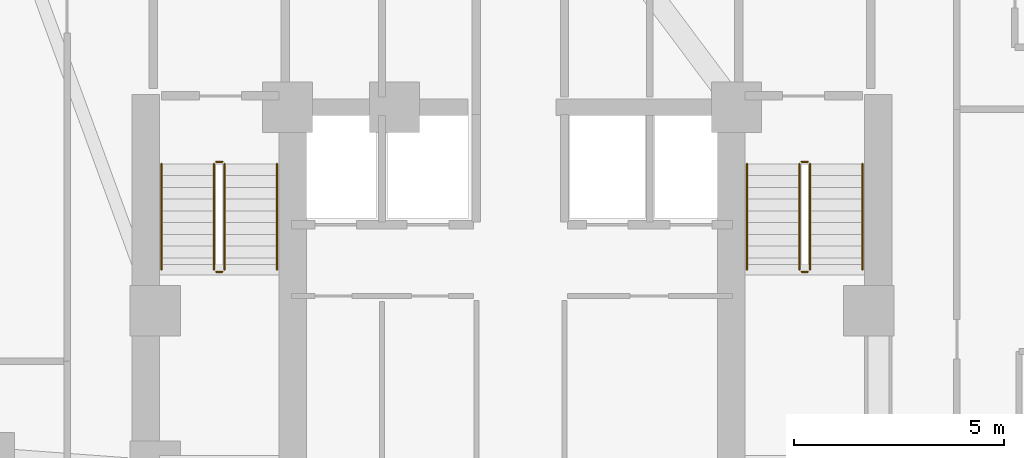
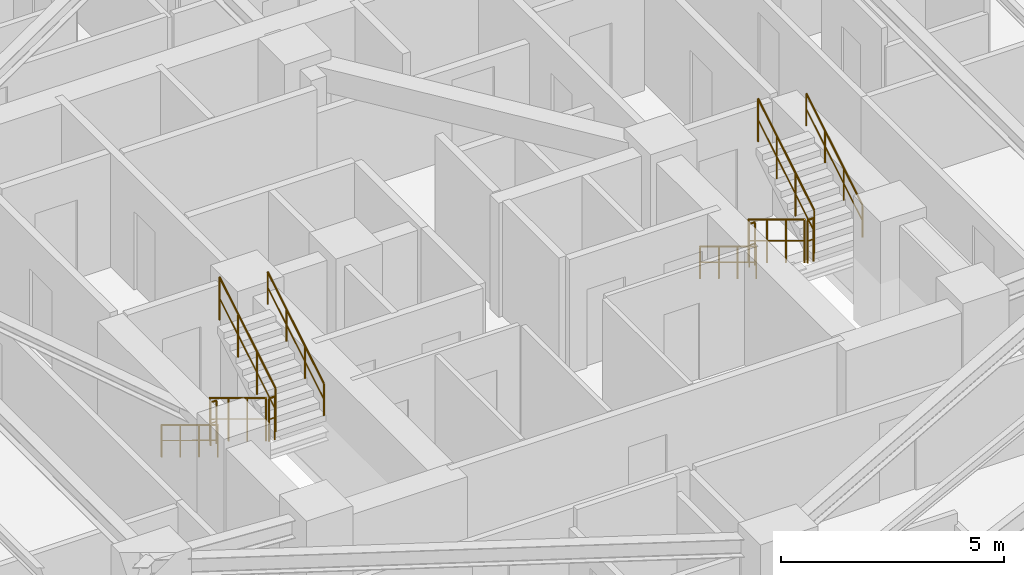
# One storey, part 13 of 13: 12 railings.
"""IFC4 building model written with IfcOpenShell, lengths in metres."""

from ifc_helpers import new_model, si_unit, direction, frame, origin, origin_2d, place, context, subcontext, project, spatial, circle, extrude, material, type_object, element, save


model = new_model("IFC4")

# Units and contexts
model_context = context("Model", 3, precision=1e-05, world=origin(), true_north=direction((0.0, 1.0)))
body_context = subcontext(model_context, "Body", "Model", "MODEL_VIEW")
ifc_project = project(units=[si_unit("LENGTHUNIT", "METRE"), si_unit("AREAUNIT", "SQUARE_METRE"), si_unit("VOLUMEUNIT", "CUBIC_METRE"), si_unit("PLANEANGLEUNIT", "RADIAN"), si_unit("MASSUNIT", "GRAM", prefix="KILO")], contexts=[model_context])

# Site, building, storey
site_placement = place(None, origin())
site = spatial("IfcSite", under=ifc_project, at=site_placement, CompositionType="ELEMENT")
building_placement = place(site_placement, origin())
building = spatial("IfcBuilding", under=site, at=building_placement, Name="Miruveldt Soraemaru", CompositionType="ELEMENT")
storey_placement = place(building_placement, frame((0.0, 0.0, 59.800048828125)))
storey = spatial("IfcBuildingStorey", under=building, at=storey_placement, Name="L16", CompositionType="ELEMENT", Elevation=59.800048828125)

# Railings
ifc_material = material(Name="Steel S355 (355 MPa)", Category="steel")
railing_type_1 = type_object("IfcRailingType", Name="RAIL-HR-900", PredefinedType="HANDRAIL", material=ifc_material)
railing_1_placement = place(storey_placement, frame((35.64990234375, 42.699951171875, 0.169921875)))
element("IfcRailing", 1, at=railing_1_placement, inside=storey, type_object=railing_type_1, Name="L16 ST-1 stair handrail 1", PredefinedType="HANDRAIL", context=body_context, shape_type="SweptSolid", body=[
    extrude(circle(Radius=0.02392578125, at=origin_2d()), frame((0.0, 0.0, 0.8759765625), z_axis=(0.0, -0.85478489116, 0.518982456201), x_axis=(1.0, 0.0, 0.0)), (0.0, 0.0, 1.0), 2.9482421875),
    extrude(circle(Radius=0.01611328125, at=origin_2d()), frame((0.0, 0.0, 0.449951171875), z_axis=(0.0, -0.85478489116, 0.518982456201), x_axis=(1.0, 0.0, 0.0)), (0.0, 0.0, 1.0), 2.9482421875),
    extrude(circle(Radius=0.02099609375, at=origin_2d()), origin(), (0.0, 0.0, 1.0), 0.851806640625),
    extrude(circle(Radius=0.02099609375, at=origin_2d()), frame((0.0, -0.840087890625, 0.510009765625)), (0.0, 0.0, 1.0), 0.851806640625),
    extrude(circle(Radius=0.02099609375, at=origin_2d()), frame((0.0, -1.679931640625, 1.02001953125)), (0.0, 0.0, 1.0), 0.851806640625),
    extrude(circle(Radius=0.02099609375, at=origin_2d()), frame((0.0, -2.52001953125, 1.530029296875)), (0.0, 0.0, 1.0), 0.851806640625),
])
railing_2_placement = place(storey_placement, frame((38.39990234375, 40.179931640625, 1.869873046875)))
element("IfcRailing", 2, at=railing_2_placement, inside=storey, type_object=railing_type_1, Name="L16 ST-1 stair handrail 2", PredefinedType="HANDRAIL", context=body_context, shape_type="SweptSolid", body=[
    extrude(circle(Radius=0.02392578125, at=origin_2d()), frame((0.0, 0.0, 0.8759765625), z_axis=(0.0, 0.85478489116, 0.518982456201), x_axis=(-1.0, 0.0, 0.0)), (0.0, 0.0, 1.0), 2.9482421875),
    extrude(circle(Radius=0.01611328125, at=origin_2d()), frame((0.0, 0.0, 0.449951171875), z_axis=(0.0, 0.85478489116, 0.518982456201), x_axis=(-1.0, 0.0, 0.0)), (0.0, 0.0, 1.0), 2.9482421875),
    extrude(circle(Radius=0.02099609375, at=origin_2d()), origin(), (0.0, 0.0, 1.0), 0.851806640625),
    extrude(circle(Radius=0.02099609375, at=origin_2d()), frame((0.0, 0.840087890625, 0.510009765625)), (0.0, 0.0, 1.0), 0.851806640625),
    extrude(circle(Radius=0.02099609375, at=origin_2d()), frame((0.0, 1.679931640625, 1.02001953125)), (0.0, 0.0, 1.0), 0.851806640625),
    extrude(circle(Radius=0.02099609375, at=origin_2d()), frame((0.0, 2.52001953125, 1.530029296875)), (0.0, 0.0, 1.0), 0.851806640625),
])
railing_3_placement = place(storey_placement, frame((49.60009765625, 42.699951171875, 0.169921875)))
element("IfcRailing", 3, at=railing_3_placement, inside=storey, type_object=railing_type_1, Name="L16 ST-2 stair handrail 1", PredefinedType="HANDRAIL", context=body_context, shape_type="SweptSolid", body=[
    extrude(circle(Radius=0.02392578125, at=origin_2d()), frame((0.0, 0.0, 0.8759765625), z_axis=(0.0, -0.85478489116, 0.518982456201), x_axis=(1.0, 0.0, 0.0)), (0.0, 0.0, 1.0), 2.9482421875),
    extrude(circle(Radius=0.01611328125, at=origin_2d()), frame((0.0, 0.0, 0.449951171875), z_axis=(0.0, -0.85478489116, 0.518982456201), x_axis=(1.0, 0.0, 0.0)), (0.0, 0.0, 1.0), 2.9482421875),
    extrude(circle(Radius=0.02099609375, at=origin_2d()), origin(), (0.0, 0.0, 1.0), 0.851806640625),
    extrude(circle(Radius=0.02099609375, at=origin_2d()), frame((0.0, -0.840087890625, 0.510009765625)), (0.0, 0.0, 1.0), 0.851806640625),
    extrude(circle(Radius=0.02099609375, at=origin_2d()), frame((0.0, -1.679931640625, 1.02001953125)), (0.0, 0.0, 1.0), 0.851806640625),
    extrude(circle(Radius=0.02099609375, at=origin_2d()), frame((0.0, -2.52001953125, 1.530029296875)), (0.0, 0.0, 1.0), 0.851806640625),
])
railing_4_placement = place(storey_placement, frame((52.35009765625, 40.179931640625, 1.869873046875)))
element("IfcRailing", 4, at=railing_4_placement, inside=storey, type_object=railing_type_1, Name="L16 ST-2 stair handrail 2", PredefinedType="HANDRAIL", context=body_context, shape_type="SweptSolid", body=[
    extrude(circle(Radius=0.02392578125, at=origin_2d()), frame((0.0, 0.0, 0.8759765625), z_axis=(0.0, 0.85478489116, 0.518982456201), x_axis=(-1.0, 0.0, 0.0)), (0.0, 0.0, 1.0), 2.9482421875),
    extrude(circle(Radius=0.01611328125, at=origin_2d()), frame((0.0, 0.0, 0.449951171875), z_axis=(0.0, 0.85478489116, 0.518982456201), x_axis=(-1.0, 0.0, 0.0)), (0.0, 0.0, 1.0), 2.9482421875),
    extrude(circle(Radius=0.02099609375, at=origin_2d()), origin(), (0.0, 0.0, 1.0), 0.851806640625),
    extrude(circle(Radius=0.02099609375, at=origin_2d()), frame((0.0, 0.840087890625, 0.510009765625)), (0.0, 0.0, 1.0), 0.851806640625),
    extrude(circle(Radius=0.02099609375, at=origin_2d()), frame((0.0, 1.679931640625, 1.02001953125)), (0.0, 0.0, 1.0), 0.851806640625),
    extrude(circle(Radius=0.02099609375, at=origin_2d()), frame((0.0, 2.52001953125, 1.530029296875)), (0.0, 0.0, 1.0), 0.851806640625),
])
railing_type_2 = type_object("IfcRailingType", Name="RAIL-STGUARD-1200", PredefinedType="GUARDRAIL", material=ifc_material)
railing_5_placement = place(storey_placement, frame((36.89990234375, 42.699951171875, 0.169921875)))
element("IfcRailing", 5, at=railing_5_placement, inside=storey, type_object=railing_type_2, Name="L16 ST-1 stair guard 1", PredefinedType="GUARDRAIL", context=body_context, shape_type="SweptSolid", body=[
    extrude(circle(Radius=0.02392578125, at=origin_2d()), frame((0.0, 0.0, 1.17578125), z_axis=(0.0, -0.85478489116, 0.518982456201), x_axis=(1.0, 0.0, 0.0)), (0.0, 0.0, 1.0), 2.9482421875),
    extrude(circle(Radius=0.01611328125, at=origin_2d()), frame((0.0, 0.0, 0.60009765625), z_axis=(0.0, -0.85478489116, 0.518982456201), x_axis=(1.0, 0.0, 0.0)), (0.0, 0.0, 1.0), 2.9482421875),
    extrude(circle(Radius=0.02099609375, at=origin_2d()), origin(), (0.0, 0.0, 1.0), 1.15185546875),
    extrude(circle(Radius=0.02099609375, at=origin_2d()), frame((0.0, -0.840087890625, 0.510009765625)), (0.0, 0.0, 1.0), 1.15185546875),
    extrude(circle(Radius=0.02099609375, at=origin_2d()), frame((0.0, -1.679931640625, 1.02001953125)), (0.0, 0.0, 1.0), 1.15185546875),
    extrude(circle(Radius=0.02099609375, at=origin_2d()), frame((0.0, -2.52001953125, 1.530029296875)), (0.0, 0.0, 1.0), 1.15185546875),
])
railing_6_placement = place(storey_placement, frame((36.949951171875, 40.1298828125, 1.699951171875)))
element("IfcRailing", 6, at=railing_6_placement, inside=storey, type_object=railing_type_2, Name="L16 ST-1 stair guard 2", PredefinedType="GUARDRAIL", context=body_context, shape_type="SweptSolid", body=[
    extrude(circle(Radius=0.02392578125, at=origin_2d()), frame((0.0, 0.0, 1.17578125), z_axis=(1.0, 0.0, 0.0), x_axis=(0.0, 1.0, 0.0)), (0.0, 0.0, 1.0), 0.150146484375),
    extrude(circle(Radius=0.01611328125, at=origin_2d()), frame((0.0, 0.0, 0.60009765625), z_axis=(1.0, 0.0, 0.0), x_axis=(0.0, 1.0, 0.0)), (0.0, 0.0, 1.0), 0.150146484375),
    extrude(circle(Radius=0.02099609375, at=origin_2d()), origin(), (0.0, 0.0, 1.0), 1.15185546875),
    extrude(circle(Radius=0.02099609375, at=origin_2d()), frame((0.150146484375, 0.0, 0.0)), (0.0, 0.0, 1.0), 1.15185546875),
])
railing_7_placement = place(storey_placement, frame((37.14990234375, 40.179931640625, 1.869873046875)))
element("IfcRailing", 7, at=railing_7_placement, inside=storey, type_object=railing_type_2, Name="L16 ST-1 stair guard 3", PredefinedType="GUARDRAIL", context=body_context, shape_type="SweptSolid", body=[
    extrude(circle(Radius=0.02392578125, at=origin_2d()), frame((0.0, 0.0, 1.17578125), z_axis=(0.0, 0.85478489116, 0.518982456201), x_axis=(-1.0, 0.0, 0.0)), (0.0, 0.0, 1.0), 2.9482421875),
    extrude(circle(Radius=0.01611328125, at=origin_2d()), frame((0.0, 0.0, 0.60009765625), z_axis=(0.0, 0.85478489116, 0.518982456201), x_axis=(-1.0, 0.0, 0.0)), (0.0, 0.0, 1.0), 2.9482421875),
    extrude(circle(Radius=0.02099609375, at=origin_2d()), origin(), (0.0, 0.0, 1.0), 1.15185546875),
    extrude(circle(Radius=0.02099609375, at=origin_2d()), frame((0.0, 0.840087890625, 0.510009765625)), (0.0, 0.0, 1.0), 1.15185546875),
    extrude(circle(Radius=0.02099609375, at=origin_2d()), frame((0.0, 1.679931640625, 1.02001953125)), (0.0, 0.0, 1.0), 1.15185546875),
    extrude(circle(Radius=0.02099609375, at=origin_2d()), frame((0.0, 2.52001953125, 1.530029296875)), (0.0, 0.0, 1.0), 1.15185546875),
])
railing_8_placement = place(storey_placement, frame((36.949951171875, 42.75, 0.0)))
element("IfcRailing", 8, at=railing_8_placement, inside=storey, type_object=railing_type_2, Name="L16 ST-1 stair guard 4", PredefinedType="GUARDRAIL", context=body_context, shape_type="SweptSolid", body=[
    extrude(circle(Radius=0.02392578125, at=origin_2d()), frame((0.0, 0.0, 1.17578125), z_axis=(1.0, 0.0, 0.0), x_axis=(0.0, 1.0, 0.0)), (0.0, 0.0, 1.0), 0.150146484375),
    extrude(circle(Radius=0.01611328125, at=origin_2d()), frame((0.0, 0.0, 0.60009765625), z_axis=(1.0, 0.0, 0.0), x_axis=(0.0, 1.0, 0.0)), (0.0, 0.0, 1.0), 0.150146484375),
    extrude(circle(Radius=0.02099609375, at=origin_2d()), origin(), (0.0, 0.0, 1.0), 1.15185546875),
    extrude(circle(Radius=0.02099609375, at=origin_2d()), frame((0.150146484375, 0.0, 0.0)), (0.0, 0.0, 1.0), 1.15185546875),
])
railing_9_placement = place(storey_placement, frame((50.85009765625, 42.699951171875, 0.169921875)))
element("IfcRailing", 9, at=railing_9_placement, inside=storey, type_object=railing_type_2, Name="L16 ST-2 stair guard 1", PredefinedType="GUARDRAIL", context=body_context, shape_type="SweptSolid", body=[
    extrude(circle(Radius=0.02392578125, at=origin_2d()), frame((0.0, 0.0, 1.17578125), z_axis=(0.0, -0.85478489116, 0.518982456201), x_axis=(1.0, 0.0, 0.0)), (0.0, 0.0, 1.0), 2.9482421875),
    extrude(circle(Radius=0.01611328125, at=origin_2d()), frame((0.0, 0.0, 0.60009765625), z_axis=(0.0, -0.85478489116, 0.518982456201), x_axis=(1.0, 0.0, 0.0)), (0.0, 0.0, 1.0), 2.9482421875),
    extrude(circle(Radius=0.02099609375, at=origin_2d()), origin(), (0.0, 0.0, 1.0), 1.15185546875),
    extrude(circle(Radius=0.02099609375, at=origin_2d()), frame((0.0, -0.840087890625, 0.510009765625)), (0.0, 0.0, 1.0), 1.15185546875),
    extrude(circle(Radius=0.02099609375, at=origin_2d()), frame((0.0, -1.679931640625, 1.02001953125)), (0.0, 0.0, 1.0), 1.15185546875),
    extrude(circle(Radius=0.02099609375, at=origin_2d()), frame((0.0, -2.52001953125, 1.530029296875)), (0.0, 0.0, 1.0), 1.15185546875),
])
railing_10_placement = place(storey_placement, frame((50.89990234375, 40.1298828125, 1.699951171875)))
element("IfcRailing", 10, at=railing_10_placement, inside=storey, type_object=railing_type_2, Name="L16 ST-2 stair guard 2", PredefinedType="GUARDRAIL", context=body_context, shape_type="SweptSolid", body=[
    extrude(circle(Radius=0.02392578125, at=origin_2d()), frame((0.0, 0.0, 1.17578125), z_axis=(1.0, 0.0, 0.0), x_axis=(0.0, 1.0, 0.0)), (0.0, 0.0, 1.0), 0.150146484375),
    extrude(circle(Radius=0.01611328125, at=origin_2d()), frame((0.0, 0.0, 0.60009765625), z_axis=(1.0, 0.0, 0.0), x_axis=(0.0, 1.0, 0.0)), (0.0, 0.0, 1.0), 0.150146484375),
    extrude(circle(Radius=0.02099609375, at=origin_2d()), origin(), (0.0, 0.0, 1.0), 1.15185546875),
    extrude(circle(Radius=0.02099609375, at=origin_2d()), frame((0.150146484375, 0.0, 0.0)), (0.0, 0.0, 1.0), 1.15185546875),
])
railing_11_placement = place(storey_placement, frame((51.10009765625, 40.179931640625, 1.869873046875)))
element("IfcRailing", 11, at=railing_11_placement, inside=storey, type_object=railing_type_2, Name="L16 ST-2 stair guard 3", PredefinedType="GUARDRAIL", context=body_context, shape_type="SweptSolid", body=[
    extrude(circle(Radius=0.02392578125, at=origin_2d()), frame((0.0, 0.0, 1.17578125), z_axis=(0.0, 0.85478489116, 0.518982456201), x_axis=(-1.0, 0.0, 0.0)), (0.0, 0.0, 1.0), 2.9482421875),
    extrude(circle(Radius=0.01611328125, at=origin_2d()), frame((0.0, 0.0, 0.60009765625), z_axis=(0.0, 0.85478489116, 0.518982456201), x_axis=(-1.0, 0.0, 0.0)), (0.0, 0.0, 1.0), 2.9482421875),
    extrude(circle(Radius=0.02099609375, at=origin_2d()), origin(), (0.0, 0.0, 1.0), 1.15185546875),
    extrude(circle(Radius=0.02099609375, at=origin_2d()), frame((0.0, 0.840087890625, 0.510009765625)), (0.0, 0.0, 1.0), 1.15185546875),
    extrude(circle(Radius=0.02099609375, at=origin_2d()), frame((0.0, 1.679931640625, 1.02001953125)), (0.0, 0.0, 1.0), 1.15185546875),
    extrude(circle(Radius=0.02099609375, at=origin_2d()), frame((0.0, 2.52001953125, 1.530029296875)), (0.0, 0.0, 1.0), 1.15185546875),
])
railing_12_placement = place(storey_placement, frame((50.89990234375, 42.75, 0.0)))
element("IfcRailing", 12, at=railing_12_placement, inside=storey, type_object=railing_type_2, Name="L16 ST-2 stair guard 4", PredefinedType="GUARDRAIL", context=body_context, shape_type="SweptSolid", body=[
    extrude(circle(Radius=0.02392578125, at=origin_2d()), frame((0.0, 0.0, 1.17578125), z_axis=(1.0, 0.0, 0.0), x_axis=(0.0, 1.0, 0.0)), (0.0, 0.0, 1.0), 0.150146484375),
    extrude(circle(Radius=0.01611328125, at=origin_2d()), frame((0.0, 0.0, 0.60009765625), z_axis=(1.0, 0.0, 0.0), x_axis=(0.0, 1.0, 0.0)), (0.0, 0.0, 1.0), 0.150146484375),
    extrude(circle(Radius=0.02099609375, at=origin_2d()), origin(), (0.0, 0.0, 1.0), 1.15185546875),
    extrude(circle(Radius=0.02099609375, at=origin_2d()), frame((0.150146484375, 0.0, 0.0)), (0.0, 0.0, 1.0), 1.15185546875),
])

save(model, "model.ifc")
